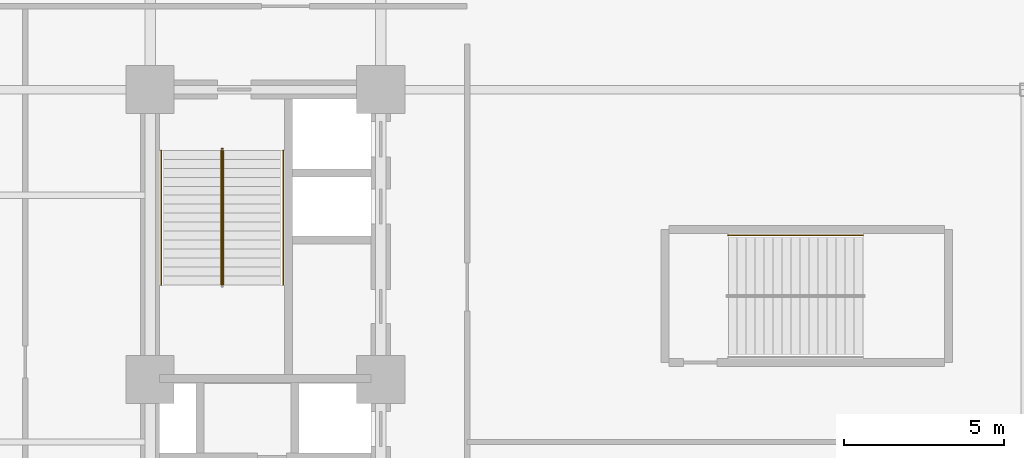
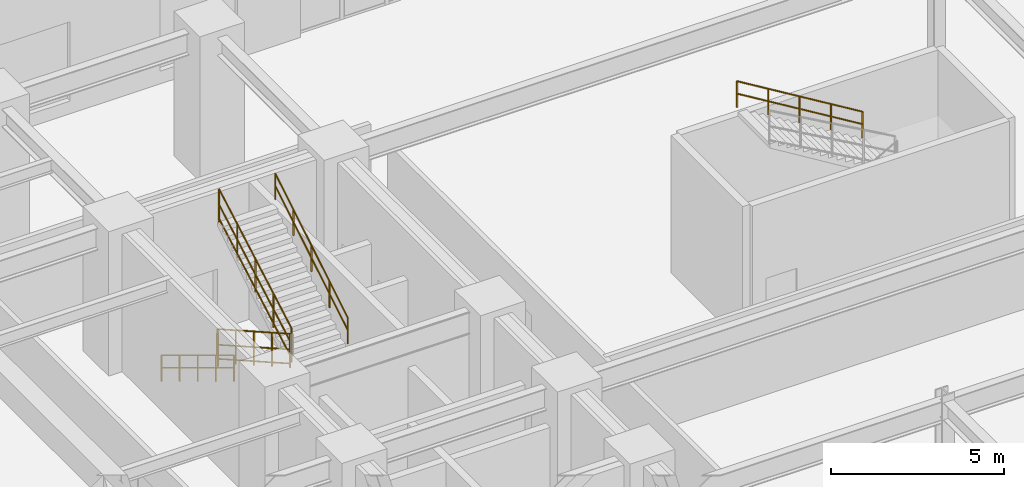
# One storey, part 23 of 23: 6 railings.
"""IFC4 building model written with IfcOpenShell, lengths in metres."""

from ifc_helpers import new_model, entity, si_unit, converted_unit, direction, frame, origin_with_axes, origin_2d_with_axis, place, context, subcontext, project, spatial, rectangle, circle, extrude, material, type_object, element, save


model = new_model("IFC4")

# Units and contexts
model_context = context("Model", 3, precision=1e-05, world=origin_with_axes(), true_north=direction((0.0, 1.0)))
body_context = subcontext(model_context, "Body", "Model", "MODEL_VIEW")
ifc_project = project(units=[si_unit("LENGTHUNIT", "METRE"), si_unit("AREAUNIT", "SQUARE_METRE"), si_unit("VOLUMEUNIT", "CUBIC_METRE"), converted_unit("PLANEANGLEUNIT", "DEGREE", entity("IfcPlaneAngleMeasure", 0.017453292519943295), si_unit("PLANEANGLEUNIT", "RADIAN"), dimensions=[0, 0, 0, 0, 0, 0, 0]), si_unit("MASSUNIT", "GRAM", prefix="KILO"), si_unit("THERMODYNAMICTEMPERATUREUNIT", "KELVIN")], contexts=[model_context])

# Site, building, storey
site_placement = place(None, origin_with_axes())
site = spatial("IfcSite", under=ifc_project, at=site_placement, CompositionType="ELEMENT")
building_placement = place(site_placement, origin_with_axes())
building = spatial("IfcBuilding", under=site, at=building_placement, Name="Varnlund Millrace Tower", CompositionType="ELEMENT")
storey_placement = place(building_placement, frame((0.0, 0.0, 5.7), z_axis=(0.0, 0.0, 1.0), x_axis=(1.0, 0.0, 0.0)))
storey = spatial("IfcBuildingStorey", under=building, at=storey_placement, Name="L01", CompositionType="ELEMENT", Elevation=5.7)

# Railings
ifc_material_1 = material(Name="Painted steel stair well balustrade guard", Category="steel")
railing_type_1 = type_object("IfcRailingType", Name="Type-StairGuard-1150", PredefinedType="GUARDRAIL", material=ifc_material_1)
railing_1_placement = place(storey_placement, frame((0.0, 0.0, -5.7), z_axis=(0.0, 0.0, 1.0), x_axis=(1.0, 0.0, 0.0)))
element("IfcRailing", 1, at=railing_1_placement, inside=storey, type_object=railing_type_1, Name="Type-StairGuard-1150", PredefinedType="GUARDRAIL", context=body_context, shape_type="SweptSolid", body=[
    extrude(circle(Radius=0.024, at=origin_2d_with_axis()), frame((13.625, 35.9, 7.02), z_axis=(0.0, -0.870022, 0.493013), x_axis=(1.0, 0.0, 0.0)), (0.0, 0.0, 1.0), 4.827463),
    extrude(circle(Radius=0.024, at=origin_2d_with_axis()), frame((13.625, 35.9, 5.97), z_axis=(0.0, -0.870022, 0.493013), x_axis=(1.0, 0.0, 0.0)), (0.0, 0.0, 1.0), 4.827463),
    extrude(circle(Radius=0.024, at=origin_2d_with_axis()), frame((13.625, 35.9, 6.468), z_axis=(0.0, -0.870022, 0.493013), x_axis=(1.0, 0.0, 0.0)), (0.0, 0.0, 1.0), 4.827463),
    extrude(rectangle(XDim=0.04, YDim=0.04, at=origin_2d_with_axis()), frame((13.625, 35.9, 5.83), z_axis=(0.0, 0.0, 1.0), x_axis=(1.0, 0.0, 0.0)), (0.0, 0.0, 1.0), 1.19),
    extrude(rectangle(XDim=0.04, YDim=0.04, at=origin_2d_with_axis()), frame((13.625, 34.85, 6.425), z_axis=(0.0, 0.0, 1.0), x_axis=(1.0, 0.0, 0.0)), (0.0, 0.0, 1.0), 1.19),
    extrude(rectangle(XDim=0.04, YDim=0.04, at=origin_2d_with_axis()), frame((13.625, 33.8, 7.02), z_axis=(0.0, 0.0, 1.0), x_axis=(1.0, 0.0, 0.0)), (0.0, 0.0, 1.0), 1.19),
    extrude(rectangle(XDim=0.04, YDim=0.04, at=origin_2d_with_axis()), frame((13.625, 32.75, 7.615), z_axis=(0.0, 0.0, 1.0), x_axis=(1.0, 0.0, 0.0)), (0.0, 0.0, 1.0), 1.19),
    extrude(rectangle(XDim=0.04, YDim=0.04, at=origin_2d_with_axis()), frame((13.625, 31.7, 8.21), z_axis=(0.0, 0.0, 1.0), x_axis=(1.0, 0.0, 0.0)), (0.0, 0.0, 1.0), 1.19),
])
railing_2_placement = place(storey_placement, frame((0.0, 0.0, -5.7), z_axis=(0.0, 0.0, 1.0), x_axis=(1.0, 0.0, 0.0)))
element("IfcRailing", 2, at=railing_2_placement, inside=storey, type_object=railing_type_1, Name="Type-StairGuard-1150", PredefinedType="GUARDRAIL", context=body_context, shape_type="SweptSolid", body=[
    extrude(circle(Radius=0.024, at=origin_2d_with_axis()), frame((13.675, 31.7, 9.57), z_axis=(0.0, 0.870022, 0.493013), x_axis=(-1.0, 0.0, 0.0)), (0.0, 0.0, 1.0), 4.827463),
    extrude(circle(Radius=0.024, at=origin_2d_with_axis()), frame((13.675, 31.7, 8.52), z_axis=(0.0, 0.870022, 0.493013), x_axis=(-1.0, 0.0, 0.0)), (0.0, 0.0, 1.0), 4.827463),
    extrude(circle(Radius=0.024, at=origin_2d_with_axis()), frame((13.675, 31.7, 9.018), z_axis=(0.0, 0.870022, 0.493013), x_axis=(-1.0, 0.0, 0.0)), (0.0, 0.0, 1.0), 4.827463),
    extrude(rectangle(XDim=0.04, YDim=0.04, at=origin_2d_with_axis()), frame((13.675, 31.7, 8.38), z_axis=(0.0, 0.0, 1.0), x_axis=(1.0, 0.0, 0.0)), (0.0, 0.0, 1.0), 1.19),
    extrude(rectangle(XDim=0.04, YDim=0.04, at=origin_2d_with_axis()), frame((13.675, 32.75, 8.975), z_axis=(0.0, 0.0, 1.0), x_axis=(1.0, 0.0, 0.0)), (0.0, 0.0, 1.0), 1.19),
    extrude(rectangle(XDim=0.04, YDim=0.04, at=origin_2d_with_axis()), frame((13.675, 33.8, 9.57), z_axis=(0.0, 0.0, 1.0), x_axis=(1.0, 0.0, 0.0)), (0.0, 0.0, 1.0), 1.19),
    extrude(rectangle(XDim=0.04, YDim=0.04, at=origin_2d_with_axis()), frame((13.675, 34.85, 10.165), z_axis=(0.0, 0.0, 1.0), x_axis=(1.0, 0.0, 0.0)), (0.0, 0.0, 1.0), 1.19),
    extrude(rectangle(XDim=0.04, YDim=0.04, at=origin_2d_with_axis()), frame((13.675, 35.9, 10.76), z_axis=(0.0, 0.0, 1.0), x_axis=(1.0, 0.0, 0.0)), (0.0, 0.0, 1.0), 1.19),
])
railing_3_placement = place(storey_placement, frame((0.0, 0.0, -5.7), z_axis=(0.0, 0.0, 1.0), x_axis=(1.0, 0.0, 0.0)))
element("IfcRailing", 3, at=railing_3_placement, inside=storey, type_object=railing_type_1, Name="Type-StairGuard-1150", PredefinedType="GUARDRAIL", context=body_context, shape_type="SweptSolid", body=[
    extrude(circle(Radius=0.024, at=origin_2d_with_axis()), frame((13.675, 35.95, 6.85), z_axis=(-1.0, 0.0, 0.0), x_axis=(0.0, -1.0, 0.0)), (0.0, 0.0, 1.0), 0.05),
    extrude(circle(Radius=0.024, at=origin_2d_with_axis()), frame((13.675, 35.95, 5.8), z_axis=(-1.0, 0.0, 0.0), x_axis=(0.0, -1.0, 0.0)), (0.0, 0.0, 1.0), 0.05),
    extrude(circle(Radius=0.024, at=origin_2d_with_axis()), frame((13.675, 35.95, 6.298), z_axis=(-1.0, 0.0, 0.0), x_axis=(0.0, -1.0, 0.0)), (0.0, 0.0, 1.0), 0.05),
    extrude(rectangle(XDim=0.04, YDim=0.04, at=origin_2d_with_axis()), frame((13.675, 35.95, 5.66), z_axis=(0.0, 0.0, 1.0), x_axis=(1.0, 0.0, 0.0)), (0.0, 0.0, 1.0), 1.19),
    extrude(rectangle(XDim=0.04, YDim=0.04, at=origin_2d_with_axis()), frame((13.625, 35.95, 5.66), z_axis=(0.0, 0.0, 1.0), x_axis=(1.0, 0.0, 0.0)), (0.0, 0.0, 1.0), 1.19),
])
ifc_material_2 = material(Name="Brushed architectural bronze stair handrail", Category="aluminium")
railing_type_2 = type_object("IfcRailingType", Name="Type-StairHandrail-900", PredefinedType="HANDRAIL", material=ifc_material_2)
railing_4_placement = place(storey_placement, frame((0.0, 0.0, -5.7), z_axis=(0.0, 0.0, 1.0), x_axis=(1.0, 0.0, 0.0)))
element("IfcRailing", 4, at=railing_4_placement, inside=storey, type_object=railing_type_2, Name="Type-StairHandrail-900", PredefinedType="HANDRAIL", context=body_context, shape_type="SweptSolid", body=[
    extrude(circle(Radius=0.024, at=origin_2d_with_axis()), frame((11.75, 35.9, 6.749485), z_axis=(0.0, -0.854788, 0.518978), x_axis=(1.0, 0.0, 0.0)), (0.0, 0.0, 1.0), 4.913502),
    extrude(circle(Radius=0.024, at=origin_2d_with_axis()), frame((11.75, 35.9, 6.309743), z_axis=(0.0, -0.854788, 0.518978), x_axis=(1.0, 0.0, 0.0)), (0.0, 0.0, 1.0), 4.913502),
    extrude(rectangle(XDim=0.04, YDim=0.04, at=origin_2d_with_axis()), frame((11.75, 35.9, 5.83), z_axis=(0.0, 0.0, 1.0), x_axis=(1.0, 0.0, 0.0)), (0.0, 0.0, 1.0), 0.919485),
    extrude(rectangle(XDim=0.04, YDim=0.04, at=origin_2d_with_axis()), frame((11.75, 34.85, 6.4675), z_axis=(0.0, 0.0, 1.0), x_axis=(1.0, 0.0, 0.0)), (0.0, 0.0, 1.0), 0.919485),
    extrude(rectangle(XDim=0.04, YDim=0.04, at=origin_2d_with_axis()), frame((11.75, 33.8, 7.105), z_axis=(0.0, 0.0, 1.0), x_axis=(1.0, 0.0, 0.0)), (0.0, 0.0, 1.0), 0.919485),
    extrude(rectangle(XDim=0.04, YDim=0.04, at=origin_2d_with_axis()), frame((11.75, 32.75, 7.7425), z_axis=(0.0, 0.0, 1.0), x_axis=(1.0, 0.0, 0.0)), (0.0, 0.0, 1.0), 0.919485),
    extrude(rectangle(XDim=0.04, YDim=0.04, at=origin_2d_with_axis()), frame((11.75, 31.7, 8.38), z_axis=(0.0, 0.0, 1.0), x_axis=(1.0, 0.0, 0.0)), (0.0, 0.0, 1.0), 0.919485),
])
railing_5_placement = place(storey_placement, frame((0.0, 0.0, -5.7), z_axis=(0.0, 0.0, 1.0), x_axis=(1.0, 0.0, 0.0)))
element("IfcRailing", 5, at=railing_5_placement, inside=storey, type_object=railing_type_2, Name="Type-StairHandrail-900", PredefinedType="HANDRAIL", context=body_context, shape_type="SweptSolid", body=[
    extrude(circle(Radius=0.024, at=origin_2d_with_axis()), frame((15.55, 31.7, 9.299485), z_axis=(0.0, 0.854788, 0.518978), x_axis=(-1.0, 0.0, 0.0)), (0.0, 0.0, 1.0), 4.913502),
    extrude(circle(Radius=0.024, at=origin_2d_with_axis()), frame((15.55, 31.7, 8.859743), z_axis=(0.0, 0.854788, 0.518978), x_axis=(-1.0, 0.0, 0.0)), (0.0, 0.0, 1.0), 4.913502),
    extrude(rectangle(XDim=0.04, YDim=0.04, at=origin_2d_with_axis()), frame((15.55, 31.7, 8.38), z_axis=(0.0, 0.0, 1.0), x_axis=(1.0, 0.0, 0.0)), (0.0, 0.0, 1.0), 0.919485),
    extrude(rectangle(XDim=0.04, YDim=0.04, at=origin_2d_with_axis()), frame((15.55, 32.75, 9.0175), z_axis=(0.0, 0.0, 1.0), x_axis=(1.0, 0.0, 0.0)), (0.0, 0.0, 1.0), 0.919485),
    extrude(rectangle(XDim=0.04, YDim=0.04, at=origin_2d_with_axis()), frame((15.55, 33.8, 9.655), z_axis=(0.0, 0.0, 1.0), x_axis=(1.0, 0.0, 0.0)), (0.0, 0.0, 1.0), 0.919485),
    extrude(rectangle(XDim=0.04, YDim=0.04, at=origin_2d_with_axis()), frame((15.55, 34.85, 10.2925), z_axis=(0.0, 0.0, 1.0), x_axis=(1.0, 0.0, 0.0)), (0.0, 0.0, 1.0), 0.919485),
    extrude(rectangle(XDim=0.04, YDim=0.04, at=origin_2d_with_axis()), frame((15.55, 35.9, 10.93), z_axis=(0.0, 0.0, 1.0), x_axis=(1.0, 0.0, 0.0)), (0.0, 0.0, 1.0), 0.919485),
])
railing_6_placement = place(storey_placement, frame((0.0, 0.0, -5.7), z_axis=(0.0, 0.0, 1.0), x_axis=(1.0, 0.0, 0.0)))
element("IfcRailing", 6, at=railing_6_placement, inside=storey, type_object=railing_type_2, Name="Type-StairHandrail-900", PredefinedType="HANDRAIL", context=body_context, shape_type="SweptSolid", body=[
    extrude(circle(Radius=0.024, at=origin_2d_with_axis()), frame((33.65, 33.25, 9.299485), z_axis=(-0.854788, 0.0, 0.518978), x_axis=(0.0, -1.0, 0.0)), (0.0, 0.0, 1.0), 4.913502),
    extrude(circle(Radius=0.024, at=origin_2d_with_axis()), frame((33.65, 33.25, 8.859743), z_axis=(-0.854788, 0.0, 0.518978), x_axis=(0.0, -1.0, 0.0)), (0.0, 0.0, 1.0), 4.913502),
    extrude(rectangle(XDim=0.04, YDim=0.04, at=origin_2d_with_axis()), frame((33.65, 33.25, 8.38), z_axis=(0.0, 0.0, 1.0), x_axis=(1.0, 0.0, 0.0)), (0.0, 0.0, 1.0), 0.919485),
    extrude(rectangle(XDim=0.04, YDim=0.04, at=origin_2d_with_axis()), frame((32.6, 33.25, 9.0175), z_axis=(0.0, 0.0, 1.0), x_axis=(1.0, 0.0, 0.0)), (0.0, 0.0, 1.0), 0.919485),
    extrude(rectangle(XDim=0.04, YDim=0.04, at=origin_2d_with_axis()), frame((31.55, 33.25, 9.655), z_axis=(0.0, 0.0, 1.0), x_axis=(1.0, 0.0, 0.0)), (0.0, 0.0, 1.0), 0.919485),
    extrude(rectangle(XDim=0.04, YDim=0.04, at=origin_2d_with_axis()), frame((30.5, 33.25, 10.2925), z_axis=(0.0, 0.0, 1.0), x_axis=(1.0, 0.0, 0.0)), (0.0, 0.0, 1.0), 0.919485),
    extrude(rectangle(XDim=0.04, YDim=0.04, at=origin_2d_with_axis()), frame((29.45, 33.25, 10.93), z_axis=(0.0, 0.0, 1.0), x_axis=(1.0, 0.0, 0.0)), (0.0, 0.0, 1.0), 0.919485),
])

save(model, "model.ifc")
